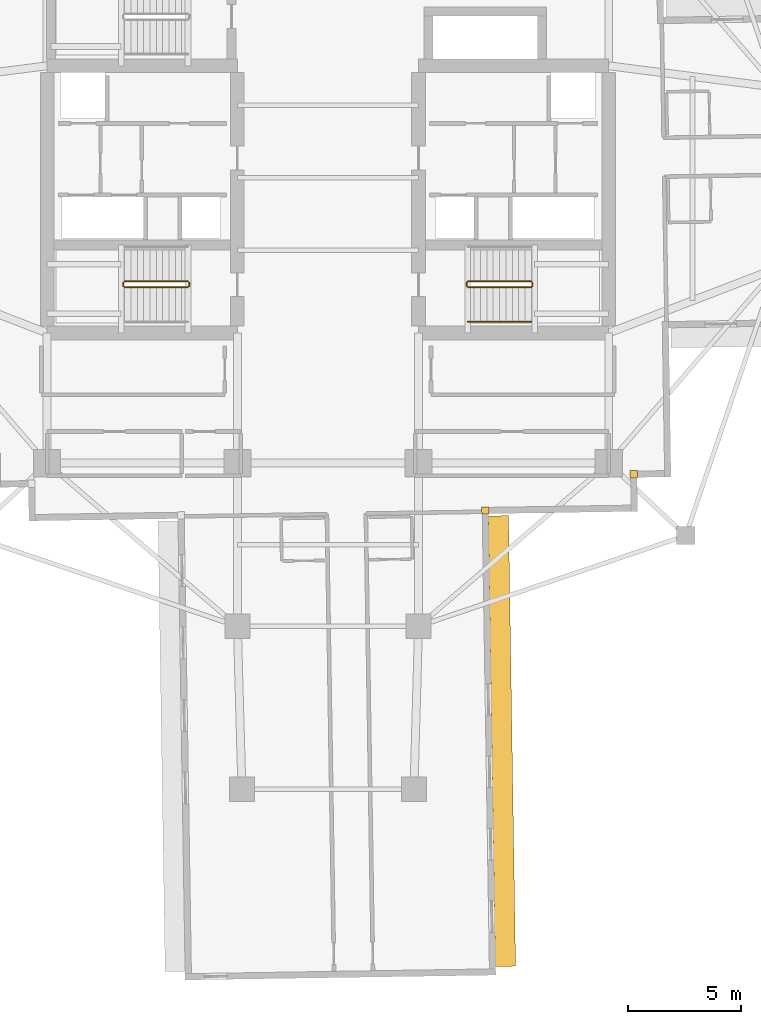
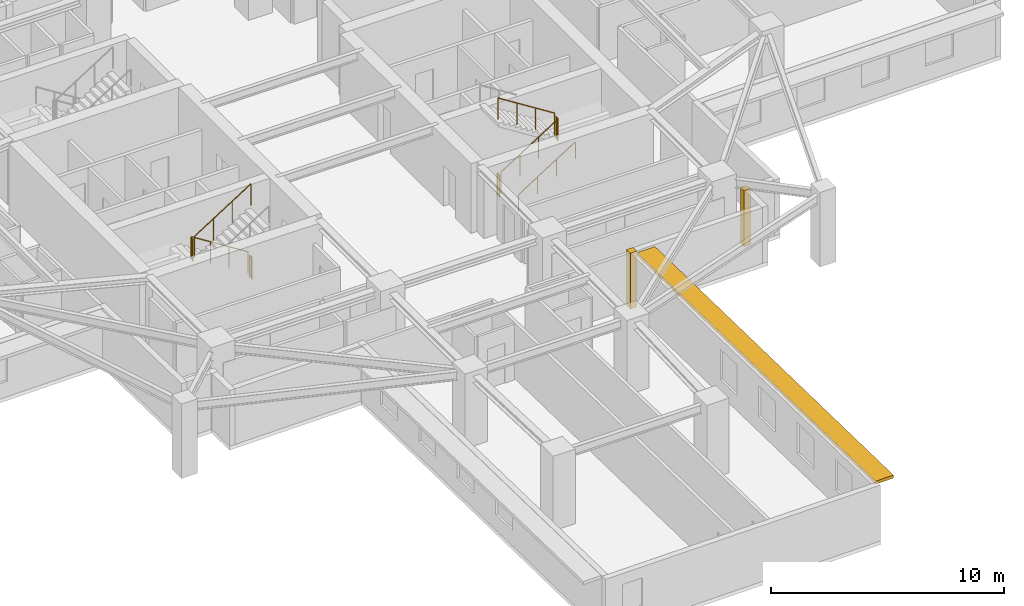
# One storey, part 10 of 13: 9 railings, 2 coverings, 1 shading device.
"""IFC4 building model written with IfcOpenShell, lengths in metres."""

from ifc_helpers import new_model, si_unit, direction, frame, origin, origin_2d, place, context, subcontext, project, spatial, rectangle, circle, extrude, material, layer, layer_set, type_object, element, save


model = new_model("IFC4")

# Units and contexts
model_context = context("Model", 3, precision=1e-05, world=origin(), true_north=direction((0.0, 1.0)))
body_context = subcontext(model_context, "Body", "Model", "MODEL_VIEW")
ifc_project = project(units=[si_unit("LENGTHUNIT", "METRE"), si_unit("AREAUNIT", "SQUARE_METRE"), si_unit("VOLUMEUNIT", "CUBIC_METRE"), si_unit("PLANEANGLEUNIT", "RADIAN"), si_unit("MASSUNIT", "GRAM", prefix="KILO")], contexts=[model_context])

# Site, building, storey
site_placement = place(None, origin())
site = spatial("IfcSite", under=ifc_project, at=site_placement, CompositionType="ELEMENT")
building_placement = place(site_placement, origin())
building = spatial("IfcBuilding", under=site, at=building_placement, Name="Qingluan Cross Belvedere", CompositionType="ELEMENT")
storey_placement = place(building_placement, frame((0.0, 0.0, 139.800048828125)))
storey = spatial("IfcBuildingStorey", under=building, at=storey_placement, Name="L35", CompositionType="ELEMENT", Elevation=139.800048828125)

# Coverings
ifc_material_1 = material(Name="Precast concrete C45", Category="concrete")
ifc_layer_1 = layer(ifc_material_1, 0.1201171875, Name="ConcreteSpandrelCladding_120")
ifc_layer_set_1 = layer_set([ifc_layer_1], Name="Precast concrete C45")
covering_type = type_object("IfcCoveringType", Name="ConcreteSpandrelCladding_120", PredefinedType="CLADDING", material=ifc_layer_set_1)
for number, where, z_axis, x_axis, name in (
    (1, (13.50732421875, -13.089599609375, 0.0), (0.0, 0.0, 1.0), (0.999876632482, 0.015707317312, 0.0), "Corner closure L35-SE1"),
    (2, (6.95166015625, -14.692626953125, 0.0), (0.0, 0.0, 1.0), (0.999876632482, 0.015707317312, 0.0), "Corner closure L35-SE2"),
):
    element("IfcCovering", number, at=place(storey_placement, frame(where, z_axis=z_axis, x_axis=x_axis)), inside=storey, type_object=covering_type, Name=name, PredefinedType="CLADDING", context=body_context, shape_type="SweptSolid", body=[
        extrude(rectangle(XDim=0.320068359375, YDim=0.320068359375, at=origin_2d()), origin(), (0.0, 0.0, 1.0), 2.919921875),
    ])

# Shading device
ifc_material_2 = material(Name="Precast concrete C45", Category="concrete")
ifc_layer_2 = layer(ifc_material_2, 0.159912109375, Name="ConcreteSunshadeBand_900")
ifc_layer_set_2 = layer_set([ifc_layer_2], Name="Precast concrete C45")
shading_device_type = type_object("IfcShadingDeviceType", Name="ConcreteSunshadeBand_900", PredefinedType="USERDEFINED", material=ifc_layer_set_2)
shading_device_placement = place(storey_placement, frame((7.681640625, -24.872314453125, 2.740234375), z_axis=(0.0, 0.0, 1.0), x_axis=(-0.015711457647, 0.999876567432, 0.0)))
element("IfcShadingDevice", 3, at=shading_device_placement, inside=storey, type_object=shading_device_type, Name="Concrete SUNSHADE L35-SB", ObjectType="SUNSHADE", PredefinedType="USERDEFINED", context=body_context, shape_type="SweptSolid", body=[
    extrude(rectangle(XDim=19.89990234375, YDim=0.89990234375, at=origin_2d()), origin(), (0.0, 0.0, 1.0), 0.159912109375),
])

# Railings
ifc_material_3 = material(Name="Brushed stainless steel tubular handrail", Category="steel")
railing_type_1 = type_object("IfcRailingType", Name="StairPitchHandrail_900", PredefinedType="HANDRAIL", material=ifc_material_3)
railing_1_placement = place(storey_placement, frame((6.179931640625, -6.35009765625, 0.17724609375)))
element("IfcRailing", 4, at=railing_1_placement, inside=storey, type_object=railing_type_1, Name="L35 ST2 stair handrail 1", PredefinedType="HANDRAIL", context=body_context, shape_type="SweptSolid", body=[
    extrude(circle(Radius=0.02392578125, at=origin_2d()), frame((0.0, 0.0, 0.8759765625), z_axis=(0.844908973607, 0.0, 0.534910110503), x_axis=(0.0, 1.0, 0.0)), (0.0, 0.0, 1.0), 3.31396484375),
    extrude(circle(Radius=0.02099609375, at=origin_2d()), origin(), (0.0, 0.0, 1.0), 0.851806640625),
    extrude(circle(Radius=0.02099609375, at=origin_2d()), frame((0.933349609375, 0.0, 0.5908203125)), (0.0, 0.0, 1.0), 0.851806640625),
    extrude(circle(Radius=0.02099609375, at=origin_2d()), frame((1.86669921875, 0.0, 1.181884765625)), (0.0, 0.0, 1.0), 0.851806640625),
    extrude(circle(Radius=0.02099609375, at=origin_2d()), frame((2.800048828125, 0.0, 1.772705078125)), (0.0, 0.0, 1.0), 0.851806640625),
])
ifc_material_4 = material(Name="Painted steel stair well guard", Category="steel")
railing_type_2 = type_object("IfcRailingType", Name="StairWellGuard_1150", PredefinedType="BALUSTRADE", material=ifc_material_4)
railing_2_placement = place(storey_placement, frame((-6.179931640625, -4.570068359375, 0.17724609375)))
element("IfcRailing", 5, at=railing_2_placement, inside=storey, type_object=railing_type_2, Name="L35 ST1 stair guard 1", PredefinedType="BALUSTRADE", context=body_context, shape_type="SweptSolid", body=[
    extrude(circle(Radius=0.02392578125, at=origin_2d()), frame((0.0, 0.0, 1.1259765625), z_axis=(-0.844908973607, 0.0, 0.534910110503), x_axis=(0.0, -1.0, 0.0)), (0.0, 0.0, 1.0), 3.31396484375),
    extrude(circle(Radius=0.02099609375, at=origin_2d()), origin(), (0.0, 0.0, 1.0), 1.101806640625),
    extrude(circle(Radius=0.02099609375, at=origin_2d()), frame((-0.933349609375, 0.0, 0.5908203125)), (0.0, 0.0, 1.0), 1.101806640625),
    extrude(circle(Radius=0.02099609375, at=origin_2d()), frame((-1.86669921875, 0.0, 1.181884765625)), (0.0, 0.0, 1.0), 1.101806640625),
    extrude(circle(Radius=0.02099609375, at=origin_2d()), frame((-2.800048828125, 0.0, 1.772705078125)), (0.0, 0.0, 1.0), 1.101806640625),
])
railing_3_placement = place(storey_placement, frame((-9.030029296875, -4.6201171875, 1.949951171875)))
element("IfcRailing", 6, at=railing_3_placement, inside=storey, type_object=railing_type_2, Name="L35 ST1 stair guard 2", PredefinedType="BALUSTRADE", context=body_context, shape_type="SweptSolid", body=[
    extrude(circle(Radius=0.02392578125, at=origin_2d()), frame((0.0, 0.0, 1.1259765625), z_axis=(0.0, -1.0, 0.0), x_axis=(1.0, 0.0, 0.0)), (0.0, 0.0, 1.0), 0.159912109375),
    extrude(circle(Radius=0.02099609375, at=origin_2d()), origin(), (0.0, 0.0, 1.0), 1.101806640625),
    extrude(circle(Radius=0.02099609375, at=origin_2d()), frame((0.0, -0.159912109375, 0.0)), (0.0, 0.0, 1.0), 1.101806640625),
])
railing_4_placement = place(storey_placement, frame((-8.97998046875, -4.830078125, 2.127197265625)))
element("IfcRailing", 7, at=railing_4_placement, inside=storey, type_object=railing_type_2, Name="L35 ST1 stair guard 3", PredefinedType="BALUSTRADE", context=body_context, shape_type="SweptSolid", body=[
    extrude(circle(Radius=0.02392578125, at=origin_2d()), frame((0.0, 0.0, 1.1259765625), z_axis=(0.844908973607, 0.0, 0.534910110503), x_axis=(0.0, 1.0, 0.0)), (0.0, 0.0, 1.0), 3.31396484375),
    extrude(circle(Radius=0.02099609375, at=origin_2d()), origin(), (0.0, 0.0, 1.0), 1.101806640625),
    extrude(circle(Radius=0.02099609375, at=origin_2d()), frame((0.933349609375, 0.0, 0.5908203125)), (0.0, 0.0, 1.0), 1.101806640625),
    extrude(circle(Radius=0.02099609375, at=origin_2d()), frame((1.86669921875, 0.0, 1.181884765625)), (0.0, 0.0, 1.0), 1.101806640625),
    extrude(circle(Radius=0.02099609375, at=origin_2d()), frame((2.800048828125, 0.0, 1.772705078125)), (0.0, 0.0, 1.0), 1.101806640625),
])
railing_5_placement = place(storey_placement, frame((-6.1298828125, -4.6201171875, 0.0)))
element("IfcRailing", 8, at=railing_5_placement, inside=storey, type_object=railing_type_2, Name="L35 ST1 stair guard 4", PredefinedType="BALUSTRADE", context=body_context, shape_type="SweptSolid", body=[
    extrude(circle(Radius=0.02392578125, at=origin_2d()), frame((0.0, 0.0, 1.1259765625), z_axis=(0.0, -1.0, 0.0), x_axis=(1.0, 0.0, 0.0)), (0.0, 0.0, 1.0), 0.159912109375),
    extrude(circle(Radius=0.02099609375, at=origin_2d()), origin(), (0.0, 0.0, 1.0), 1.101806640625),
    extrude(circle(Radius=0.02099609375, at=origin_2d()), frame((0.0, -0.159912109375, 0.0)), (0.0, 0.0, 1.0), 1.101806640625),
])
railing_6_placement = place(storey_placement, frame((6.179931640625, -4.830078125, 0.17724609375)))
element("IfcRailing", 9, at=railing_6_placement, inside=storey, type_object=railing_type_2, Name="L35 ST2 stair guard 1", PredefinedType="BALUSTRADE", context=body_context, shape_type="SweptSolid", body=[
    extrude(circle(Radius=0.02392578125, at=origin_2d()), frame((0.0, 0.0, 1.1259765625), z_axis=(0.844908973607, 0.0, 0.534910110503), x_axis=(0.0, 1.0, 0.0)), (0.0, 0.0, 1.0), 3.31396484375),
    extrude(circle(Radius=0.02099609375, at=origin_2d()), origin(), (0.0, 0.0, 1.0), 1.101806640625),
    extrude(circle(Radius=0.02099609375, at=origin_2d()), frame((0.933349609375, 0.0, 0.5908203125)), (0.0, 0.0, 1.0), 1.101806640625),
    extrude(circle(Radius=0.02099609375, at=origin_2d()), frame((1.86669921875, 0.0, 1.181884765625)), (0.0, 0.0, 1.0), 1.101806640625),
    extrude(circle(Radius=0.02099609375, at=origin_2d()), frame((2.800048828125, 0.0, 1.772705078125)), (0.0, 0.0, 1.0), 1.101806640625),
])
railing_7_placement = place(storey_placement, frame((9.030029296875, -4.780029296875, 1.949951171875)))
element("IfcRailing", 10, at=railing_7_placement, inside=storey, type_object=railing_type_2, Name="L35 ST2 stair guard 2", PredefinedType="BALUSTRADE", context=body_context, shape_type="SweptSolid", body=[
    extrude(circle(Radius=0.02392578125, at=origin_2d()), frame((0.0, 0.0, 1.1259765625), z_axis=(0.0, 1.0, 0.0), x_axis=(-1.0, 0.0, 0.0)), (0.0, 0.0, 1.0), 0.159912109375),
    extrude(circle(Radius=0.02099609375, at=origin_2d()), origin(), (0.0, 0.0, 1.0), 1.101806640625),
    extrude(circle(Radius=0.02099609375, at=origin_2d()), frame((0.0, 0.159912109375, 0.0)), (0.0, 0.0, 1.0), 1.101806640625),
])
railing_8_placement = place(storey_placement, frame((8.97998046875, -4.570068359375, 2.127197265625)))
element("IfcRailing", 11, at=railing_8_placement, inside=storey, type_object=railing_type_2, Name="L35 ST2 stair guard 3", PredefinedType="BALUSTRADE", context=body_context, shape_type="SweptSolid", body=[
    extrude(circle(Radius=0.02392578125, at=origin_2d()), frame((0.0, 0.0, 1.1259765625), z_axis=(-0.844908973607, 0.0, 0.534910110503), x_axis=(0.0, -1.0, 0.0)), (0.0, 0.0, 1.0), 3.31396484375),
    extrude(circle(Radius=0.02099609375, at=origin_2d()), origin(), (0.0, 0.0, 1.0), 1.101806640625),
    extrude(circle(Radius=0.02099609375, at=origin_2d()), frame((-0.933349609375, 0.0, 0.5908203125)), (0.0, 0.0, 1.0), 1.101806640625),
    extrude(circle(Radius=0.02099609375, at=origin_2d()), frame((-1.86669921875, 0.0, 1.181884765625)), (0.0, 0.0, 1.0), 1.101806640625),
    extrude(circle(Radius=0.02099609375, at=origin_2d()), frame((-2.800048828125, 0.0, 1.772705078125)), (0.0, 0.0, 1.0), 1.101806640625),
])
railing_9_placement = place(storey_placement, frame((6.1298828125, -4.780029296875, 0.0)))
element("IfcRailing", 12, at=railing_9_placement, inside=storey, type_object=railing_type_2, Name="L35 ST2 stair guard 4", PredefinedType="BALUSTRADE", context=body_context, shape_type="SweptSolid", body=[
    extrude(circle(Radius=0.02392578125, at=origin_2d()), frame((0.0, 0.0, 1.1259765625), z_axis=(0.0, 1.0, 0.0), x_axis=(-1.0, 0.0, 0.0)), (0.0, 0.0, 1.0), 0.159912109375),
    extrude(circle(Radius=0.02099609375, at=origin_2d()), origin(), (0.0, 0.0, 1.0), 1.101806640625),
    extrude(circle(Radius=0.02099609375, at=origin_2d()), frame((0.0, 0.159912109375, 0.0)), (0.0, 0.0, 1.0), 1.101806640625),
])

save(model, "model.ifc")
